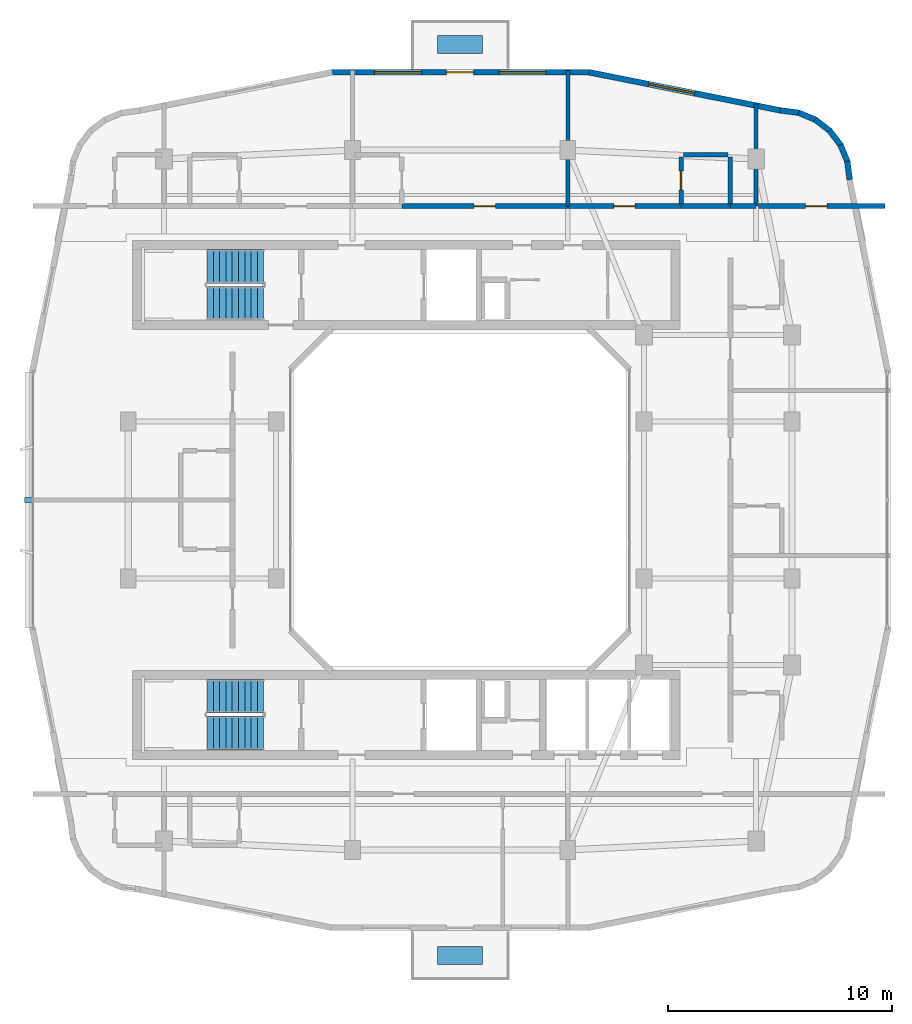
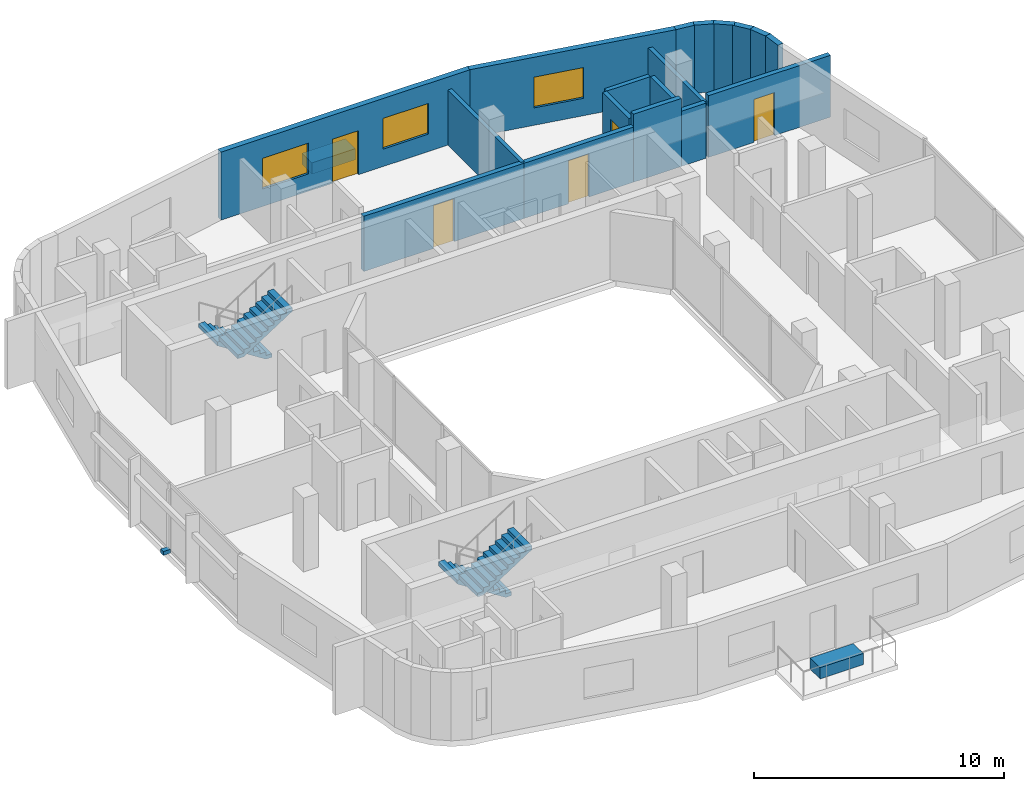
# One storey, part 9 of 13: 18 walls, 5 doors, 4 stair flights, 3 discrete accessories, 3 windows, 8 openings, 2 elements without a shape of their own.
"""IFC4 building model written with IfcOpenShell, lengths in metres."""

from ifc_helpers import new_model, si_unit, derived_unit, direction, frame, frame_2d, origin, origin_2d, place, context, subcontext, project, spatial, polyline, rectangle, outline, extrude, material, layer, layer_set, type_object, element, fill, aggregate, save


model = new_model("IFC4")

# Units and contexts
model_context = context("Model", 3, precision=1e-05, world=origin(), true_north=direction((0.0, 1.0)))
body_context = subcontext(model_context, "Body", "Model", "MODEL_VIEW")
ifc_project = project(units=[si_unit("LENGTHUNIT", "METRE"), si_unit("AREAUNIT", "SQUARE_METRE"), si_unit("VOLUMEUNIT", "CUBIC_METRE"), si_unit("PLANEANGLEUNIT", "RADIAN"), si_unit("MASSUNIT", "GRAM", prefix="KILO"), derived_unit("THERMALTRANSMITTANCEUNIT", [(si_unit("POWERUNIT", "WATT"), 1), (si_unit("LENGTHUNIT", "METRE"), -2), (si_unit("THERMODYNAMICTEMPERATUREUNIT", "KELVIN"), -1)])], contexts=[model_context])

# Site, building, storey
site_placement = place(None, origin())
site = spatial("IfcSite", under=ifc_project, at=site_placement, CompositionType="ELEMENT")
building_placement = place(site_placement, origin())
building = spatial("IfcBuilding", under=site, at=building_placement, Name="Kivonza Crest Hotel", CompositionType="ELEMENT")
storey_placement = place(building_placement, frame((0.0, 0.0, 220.699951171875)))
storey = spatial("IfcBuildingStorey", under=building, at=storey_placement, Name="L60", CompositionType="ELEMENT", Elevation=220.699951171875)

# Walls
ifc_material_1 = material(Name="High-density acoustic masonry inter-tenancy wall", Category="masonry")
ifc_layer_1 = layer(ifc_material_1, 0.179931640625)
ifc_layer_set_1 = layer_set([ifc_layer_1], Name="High-density acoustic masonry inter-tenancy wall")
wall_type_1 = type_object("IfcWallType", Name="WL-ACOU-180", PredefinedType="SOLIDWALL", material=ifc_layer_set_1)
wall_1_placement = place(storey_placement, frame((25.800048828125, 38.10009765625, 0.0), z_axis=(0.0, 0.0, 1.0), x_axis=(0.0, 1.0, 0.0)))
element("IfcWall", 1, at=wall_1_placement, inside=storey, type_object=wall_type_1, Name="L60 interior partition WA-L60-T1N-DIV3", PredefinedType="SOLIDWALL", context=body_context, shape_type="SweptSolid", body=[
    extrude(rectangle(XDim=6.039794921875, YDim=0.179931640625, at=frame_2d((3.02001953125, 0.0))), origin(), (0.0, 0.0, 1.0), 2.695068359375),
])
wall_2_placement = place(storey_placement, frame((34.199951171875, 38.10009765625, 0.0), z_axis=(0.0, 0.0, 1.0), x_axis=(0.0, 1.0, 0.0)))
element("IfcWall", 2, at=wall_2_placement, inside=storey, type_object=wall_type_1, Name="L60 interior partition WA-L60-T1N-DIV4", PredefinedType="SOLIDWALL", context=body_context, shape_type="SweptSolid", body=[
    extrude(rectangle(XDim=4.557861328125, YDim=0.179931640625, at=frame_2d((2.27880859375, 0.0))), origin(), (0.0, 0.0, 1.0), 2.695068359375),
])

# Wall, opening, door
ifc_material_2 = material(Name="Autoclaved aerated concrete blockwork", Category="masonry")
ifc_layer_2 = layer(ifc_material_2, 0.219970703125)
ifc_layer_set_2 = layer_set([ifc_layer_2], Name="Autoclaved aerated concrete blockwork")
wall_type_2 = type_object("IfcWallType", Name="WL-ACOU-220", PredefinedType="SOLIDWALL", material=ifc_layer_set_2)
wall_3_placement = place(storey_placement, frame((18.39990234375, 38.10009765625, 0.0), z_axis=(0.0, 0.0, 1.0), x_axis=(1.0, 0.0, 0.0)))
wall_3 = element("IfcWall", 3, at=wall_3_placement, inside=storey, type_object=wall_type_2, Name="L60 interior partition WA-L60-N03-MCORR", PredefinedType="SOLIDWALL", context=body_context, shape_type="SweptSolid", body=[
    extrude(rectangle(XDim=7.400146484375, YDim=0.219970703125, at=frame_2d((3.7001953125, 0.0))), origin(), (0.0, 0.0, 1.0), 2.695068359375),
])
opening_1_placement = place(wall_3_placement, frame((3.22509765625, 0.0, 0.0)))
opening_1 = element("IfcOpeningElement", 4, at=opening_1_placement, cuts=wall_3, Name="Opening DU-60", PredefinedType="OPENING", context=body_context, shape_type="SweptSolid", body=[
    extrude(rectangle(XDim=0.949951171875, YDim=2.10009765625, at=frame_2d((0.47509765625, 1.050048828125))), frame((0.0, 0.1201171875, 0.0), z_axis=(0.0, -1.0, 0.0), x_axis=(1.0, 0.0, 0.0)), (0.0, 0.0, 1.0), 0.239990234375),
])
ifc_material_3 = material(Name="Hardwood timber oak", Category="wood")
door_type_1 = type_object("IfcDoorType", Name="DR-UNIT-950", OperationType="NOTDEFINED", PredefinedType="DOOR", material=ifc_material_3)
door_1_placement = place(opening_1_placement, origin())
door_1 = element("IfcDoor", 5, at=door_1_placement, inside=storey, type_object=door_type_1, Name="L60 N03 guest unit entrance fire door", OperationType="SINGLE_SWING_LEFT", OverallHeight=2.10009765625, OverallWidth=0.949951171875, PredefinedType="DOOR", context=body_context, shape_type="SweptSolid", body=[
    extrude(rectangle(XDim=0.949951171875, YDim=2.10009765625, at=frame_2d((0.47509765625, 1.050048828125))), frame((0.0, 0.02490234375, 0.0), z_axis=(0.0, -1.0, 0.0), x_axis=(1.0, 0.0, 0.0)), (0.0, 0.0, 1.0), 0.050048828125),
])
fill(opening_1, door_1)

# Walls
wall_4_placement = place(storey_placement, frame((33.050048828125, 38.10009765625, 0.0), z_axis=(0.0, 0.0, 1.0), x_axis=(1.0, 0.0, 0.0)))
element("IfcWall", 6, at=wall_4_placement, inside=storey, type_object=wall_type_2, Name="L60 interior partition WA-L60-N04-XCORR", PredefinedType="SOLIDWALL", context=body_context, shape_type="SweptSolid", body=[
    extrude(rectangle(XDim=1.14990234375, YDim=0.219970703125, at=frame_2d((0.574951171875, 0.0))), origin(), (0.0, 0.0, 1.0), 2.695068359375),
])
wall_5_placement = place(storey_placement, frame((30.85009765625, 38.10009765625, 0.0), z_axis=(0.0, 0.0, 1.0), x_axis=(1.0, 0.0, 0.0)))
element("IfcWall", 7, at=wall_5_placement, inside=storey, type_object=wall_type_2, Name="L60 interior partition WA-L60-N04-BCORR", PredefinedType="SOLIDWALL", context=body_context, shape_type="SweptSolid", body=[
    extrude(rectangle(XDim=2.199951171875, YDim=0.219970703125, at=frame_2d((1.10009765625, 0.0))), origin(), (0.0, 0.0, 1.0), 3.320068359375),
])

# Wall, opening, door
wall_6_placement = place(storey_placement, frame((25.800048828125, 38.10009765625, 0.0), z_axis=(0.0, 0.0, 1.0), x_axis=(1.0, 0.0, 0.0)))
wall_6 = element("IfcWall", 8, at=wall_6_placement, inside=storey, type_object=wall_type_2, Name="L60 interior partition WA-L60-N04-MCORR", PredefinedType="SOLIDWALL", context=body_context, shape_type="SweptSolid", body=[
    extrude(rectangle(XDim=5.050048828125, YDim=0.219970703125, at=frame_2d((2.52490234375, 0.0))), origin(), (0.0, 0.0, 1.0), 2.695068359375),
])
opening_2_placement = place(wall_6_placement, frame((2.050048828125, 0.0, 0.0)))
opening_2 = element("IfcOpeningElement", 9, at=opening_2_placement, cuts=wall_6, Name="Opening DU-60", PredefinedType="OPENING", context=body_context, shape_type="SweptSolid", body=[
    extrude(rectangle(XDim=0.949951171875, YDim=2.10009765625, at=frame_2d((0.47509765625, 1.050048828125))), frame((0.0, 0.1201171875, 0.0), z_axis=(0.0, -1.0, 0.0), x_axis=(1.0, 0.0, 0.0)), (0.0, 0.0, 1.0), 0.239990234375),
])
door_2_placement = place(opening_2_placement, origin())
door_2 = element("IfcDoor", 10, at=door_2_placement, inside=storey, type_object=door_type_1, Name="L60 N04 guest unit entrance fire door", OperationType="SINGLE_SWING_RIGHT", OverallHeight=2.10009765625, OverallWidth=0.949951171875, PredefinedType="DOOR", context=body_context, shape_type="SweptSolid", body=[
    extrude(rectangle(XDim=0.949951171875, YDim=2.10009765625, at=frame_2d((0.47509765625, 1.050048828125))), frame((0.0, 0.02490234375, 0.0), z_axis=(0.0, -1.0, 0.0), x_axis=(1.0, 0.0, 0.0)), (0.0, 0.0, 1.0), 0.050048828125),
])
fill(opening_2, door_2)

wall_7_placement = place(storey_placement, frame((34.300048828125, 38.10009765625, 0.0), z_axis=(0.0, 0.0, 1.0), x_axis=(1.0, 0.0, 0.0)))
wall_7 = element("IfcWall", 11, at=wall_7_placement, inside=storey, type_object=wall_type_2, Name="L60 interior partition WA-L60-N-AMEN-S", PredefinedType="SOLIDWALL", context=body_context, shape_type="SweptSolid", body=[
    extrude(rectangle(XDim=5.639892578125, YDim=0.219970703125, at=frame_2d((2.81982421875, 0.0))), origin(), (0.0, 0.0, 1.0), 3.01513671875),
])
opening_3_placement = place(wall_7_placement, frame((2.10009765625, 0.0, 0.0)))
opening_3 = element("IfcOpeningElement", 12, at=opening_3_placement, cuts=wall_7, Name="Opening DF-60S", PredefinedType="OPENING", context=body_context, shape_type="SweptSolid", body=[
    extrude(rectangle(XDim=0.949951171875, YDim=2.10009765625, at=frame_2d((0.47509765625, 1.050048828125))), frame((0.0, 0.1201171875, 0.0), z_axis=(0.0, -1.0, 0.0), x_axis=(1.0, 0.0, 0.0)), (0.0, 0.0, 1.0), 0.239990234375),
])
door_type_2 = type_object("IfcDoorType", Name="DR-FD60-950", OperationType="NOTDEFINED", PredefinedType="DOOR", material=ifc_material_3)
door_3_placement = place(opening_3_placement, origin())
door_3 = element("IfcDoor", 13, at=door_3_placement, inside=storey, type_object=door_type_2, Name="L60 Private Fitness Gym Studio door", OperationType="SINGLE_SWING_LEFT", OverallHeight=2.10009765625, OverallWidth=0.949951171875, PredefinedType="DOOR", context=body_context, shape_type="SweptSolid", body=[
    extrude(rectangle(XDim=0.949951171875, YDim=2.10009765625, at=frame_2d((0.47509765625, 1.050048828125))), frame((0.0, 0.02490234375, 0.0), z_axis=(0.0, -1.0, 0.0), x_axis=(1.0, 0.0, 0.0)), (0.0, 0.0, 1.0), 0.050048828125),
])
fill(opening_3, door_3)

# Walls
ifc_material_4 = material(Name="Precast concrete C40/50", Category="concrete")
ifc_layer_3 = layer(ifc_material_4, 0.260009765625)
ifc_layer_set_3 = layer_set([ifc_layer_3], Name="Precast concrete C40/50")
wall_type_3 = type_object("IfcWallType", Name="WL-EXT-260", PredefinedType="STANDARD", material=ifc_layer_set_3)
wall_8_placement = place(storey_placement, frame((38.3720703125, 39.27490234375, 0.0), z_axis=(0.0, 0.0, 1.0), x_axis=(-0.130954667764, 0.9913883573, 0.0)))
element("IfcWall", 14, at=wall_8_placement, inside=storey, type_object=wall_type_3, Name="L60 T1 exterior insulated wall 19", PredefinedType="STANDARD", context=body_context, shape_type="SweptSolid", body=[
    extrude(rectangle(XDim=0.833251953125, YDim=0.260009765625, at=frame_2d((0.41650390625, 0.0))), origin(), (0.0, 0.0, 1.0), 3.320068359375),
])
wall_9_placement = place(storey_placement, frame((38.281005859375, 40.054931640625, 0.0), z_axis=(0.0, 0.0, 1.0), x_axis=(-0.382985169477, 0.923754491172, 0.0)))
element("IfcWall", 15, at=wall_9_placement, inside=storey, type_object=wall_type_3, Name="L60 T1 exterior insulated wall 20", PredefinedType="STANDARD", context=body_context, shape_type="SweptSolid", body=[
    extrude(rectangle(XDim=0.85107421875, YDim=0.260009765625, at=frame_2d((0.425537109375, 0.0))), origin(), (0.0, 0.0, 1.0), 3.320068359375),
])
for number, where, z_axis, x_axis, name in (
    (16, (37.98291015625, 40.801025390625, 0.0), (0.0, 0.0, 1.0), (-0.607918988881, 0.793999057278, 0.0), "L60 T1 exterior insulated wall 21"),
    (17, (37.50390625, 41.445068359375, 0.0), (0.0, 0.0, 1.0), (-0.793892896323, 0.608057619941, 0.0), "L60 T1 exterior insulated wall 22"),
):
    element("IfcWall", number, at=place(storey_placement, frame(where, z_axis=z_axis, x_axis=x_axis)), inside=storey, type_object=wall_type_3, Name=name, PredefinedType="STANDARD", context=body_context, shape_type="SweptSolid", body=[
        extrude(rectangle(XDim=0.85009765625, YDim=0.260009765625, at=frame_2d((0.425048828125, 0.0))), origin(), (0.0, 0.0, 1.0), 3.320068359375),
    ])
wall_10_placement = place(storey_placement, frame((36.873046875, 41.94091796875, 0.0), z_axis=(0.0, 0.0, 1.0), x_axis=(-0.923652976167, 0.383229930484, 0.0)))
element("IfcWall", 18, at=wall_10_placement, inside=storey, type_object=wall_type_3, Name="L60 T1 exterior insulated wall 23", PredefinedType="STANDARD", context=body_context, shape_type="SweptSolid", body=[
    extrude(rectangle(XDim=0.85107421875, YDim=0.260009765625, at=frame_2d((0.425537109375, 0.0))), origin(), (0.0, 0.0, 1.0), 3.320068359375),
])
wall_11_placement = place(storey_placement, frame((36.135986328125, 42.259033203125, 0.0), z_axis=(0.0, 0.0, 1.0), x_axis=(-0.991493480548, 0.130156359936, 0.0)))
element("IfcWall", 19, at=wall_11_placement, inside=storey, type_object=wall_type_3, Name="L60 T1 exterior insulated wall 24", PredefinedType="STANDARD", context=body_context, shape_type="SweptSolid", body=[
    extrude(rectangle(XDim=0.868408203125, YDim=0.260009765625, at=frame_2d((0.43408203125, 0.0))), origin(), (0.0, 0.0, 1.0), 3.320068359375),
])

# Wall, opening, window
wall_12_placement = place(storey_placement, frame((35.282958984375, 42.37109375, 0.0), z_axis=(0.0, 0.0, 1.0), x_axis=(-0.980748582507, 0.1952747242, 0.0)))
wall_12 = element("IfcWall", 20, at=wall_12_placement, inside=storey, type_object=wall_type_3, Name="L60 T1 exterior insulated wall 25", PredefinedType="STANDARD", context=body_context, shape_type="SweptSolid", body=[
    extrude(rectangle(XDim=8.705322265625, YDim=0.260009765625, at=frame_2d((4.3525390625, 0.0))), origin(), (0.0, 0.0, 1.0), 3.320068359375),
])
opening_4_placement = place(wall_12_placement, frame((3.89208984375, 0.0, 0.85009765625)))
opening_4 = element("IfcOpeningElement", 21, at=opening_4_placement, cuts=wall_12, Name="Opening WN-04", PredefinedType="OPENING", context=body_context, shape_type="SweptSolid", body=[
    extrude(rectangle(XDim=2.10009765625, YDim=1.5, at=frame_2d((1.050048828125, 0.75))), frame((0.0, 0.14013671875, 0.0), z_axis=(0.0, -1.0, 0.0), x_axis=(1.0, 0.0, 0.0)), (0.0, 0.0, 1.0), 0.280029296875),
])
ifc_material_5 = material(Name="Thermally broken bronze aluminium and low-E double glazing", Category="aluminium")
window_type = type_object("IfcWindowType", Name="WN-210x150", PartitioningType="DOUBLE_PANEL_VERTICAL", PredefinedType="WINDOW", material=ifc_material_5)
window_1_placement = place(opening_4_placement, origin())
window_1 = element("IfcWindow", 22, at=window_1_placement, inside=storey, type_object=window_type, Name="L60 T1 facade window 25", OverallHeight=1.5, OverallWidth=2.10009765625, PartitioningType="SINGLE_PANEL", PredefinedType="WINDOW", context=body_context, shape_type="SweptSolid", body=[
    extrude(rectangle(XDim=2.10009765625, YDim=1.5, at=frame_2d((1.050048828125, 0.75))), frame((0.0, 0.030029296875, 0.0), z_axis=(0.0, -1.0, 0.0), x_axis=(1.0, 0.0, 0.0)), (0.0, 0.0, 1.0), 0.06005859375),
])
fill(opening_4, window_1)

# Wall, openings, door, windows
wall_13_placement = place(storey_placement, frame((26.784912109375, 44.070068359375, 0.0), z_axis=(0.0, 0.0, 1.0), x_axis=(-1.0, 0.0, 0.0)))
wall_13 = element("IfcWall", 23, at=wall_13_placement, inside=storey, type_object=wall_type_3, Name="L60 T1 exterior insulated wall 26", PredefinedType="STANDARD", context=body_context, shape_type="SweptSolid", body=[
    extrude(rectangle(XDim=11.534912109375, YDim=0.260009765625, at=frame_2d((5.767578125, 0.0))), origin(), (0.0, 0.0, 1.0), 3.320068359375),
])
opening_5_placement = place(wall_13_placement, frame((5.18505859375, 0.0, 0.0)))
opening_5 = element("IfcOpeningElement", 24, at=opening_5_placement, cuts=wall_13, Name="Opening DT-120", PredefinedType="OPENING", context=body_context, shape_type="SweptSolid", body=[
    extrude(rectangle(XDim=1.199951171875, YDim=2.14990234375, at=frame_2d((0.60009765625, 1.074951171875))), frame((0.0, 0.14013671875, 0.0), z_axis=(0.0, -1.0, 0.0), x_axis=(1.0, 0.0, 0.0)), (0.0, 0.0, 1.0), 0.280029296875),
])
opening_6_placement = place(wall_13_placement, frame((1.9599609375, 0.0, 0.85009765625)))
opening_6 = element("IfcOpeningElement", 25, at=opening_6_placement, cuts=wall_13, Name="Opening WN-04", PredefinedType="OPENING", context=body_context, shape_type="SweptSolid", body=[
    extrude(rectangle(XDim=2.10009765625, YDim=1.5, at=frame_2d((1.050048828125, 0.75))), frame((0.0, 0.14013671875, 0.0), z_axis=(0.0, -1.0, 0.0), x_axis=(1.0, 0.0, 0.0)), (0.0, 0.0, 1.0), 0.280029296875),
])
opening_7_placement = place(wall_13_placement, frame((7.510009765625, 0.0, 0.85009765625)))
opening_7 = element("IfcOpeningElement", 26, at=opening_7_placement, cuts=wall_13, Name="Opening WN-04", PredefinedType="OPENING", context=body_context, shape_type="SweptSolid", body=[
    extrude(rectangle(XDim=2.10009765625, YDim=1.5, at=frame_2d((1.050048828125, 0.75))), frame((0.0, 0.14013671875, 0.0), z_axis=(0.0, -1.0, 0.0), x_axis=(1.0, 0.0, 0.0)), (0.0, 0.0, 1.0), 0.280029296875),
])
ifc_material_6 = material(Name="Anodised bronze aluminium and laminated safety glass", Category="aluminium")
door_type_3 = type_object("IfcDoorType", Name="DR-TERR-1200", OperationType="NOTDEFINED", PredefinedType="DOOR", material=ifc_material_6)
door_4_placement = place(opening_5_placement, frame((1.199951171875, 0.0, 0.0), z_axis=(0.0, 0.0, 1.0), x_axis=(-1.0, 0.0, 0.0)))
door_4 = element("IfcDoor", 27, at=door_4_placement, inside=storey, type_object=door_type_3, Name="T1 L60 NE sky-garden bridge access door", OperationType="SINGLE_SWING_LEFT", OverallHeight=2.14990234375, OverallWidth=1.199951171875, PredefinedType="DOOR", context=body_context, shape_type="SweptSolid", body=[
    extrude(rectangle(XDim=1.199951171875, YDim=2.14990234375, at=frame_2d((0.60009765625, 1.074951171875))), frame((0.0, 0.02490234375, 0.0), z_axis=(0.0, -1.0, 0.0), x_axis=(1.0, 0.0, 0.0)), (0.0, 0.0, 1.0), 0.050048828125),
])
fill(opening_5, door_4)
window_2_placement = place(opening_6_placement, origin())
window_2 = element("IfcWindow", 28, at=window_2_placement, inside=storey, type_object=window_type, Name="L60 T1 facade window 26 bay 1", OverallHeight=1.5, OverallWidth=2.10009765625, PartitioningType="SINGLE_PANEL", PredefinedType="WINDOW", context=body_context, shape_type="SweptSolid", body=[
    extrude(rectangle(XDim=2.10009765625, YDim=1.5, at=frame_2d((1.050048828125, 0.75))), frame((0.0, 0.030029296875, 0.0), z_axis=(0.0, -1.0, 0.0), x_axis=(1.0, 0.0, 0.0)), (0.0, 0.0, 1.0), 0.06005859375),
])
fill(opening_6, window_2)
window_3_placement = place(opening_7_placement, origin())
window_3 = element("IfcWindow", 29, at=window_3_placement, inside=storey, type_object=window_type, Name="L60 T1 facade window 26 bay 2", OverallHeight=1.5, OverallWidth=2.10009765625, PartitioningType="SINGLE_PANEL", PredefinedType="WINDOW", context=body_context, shape_type="SweptSolid", body=[
    extrude(rectangle(XDim=2.10009765625, YDim=1.5, at=frame_2d((1.050048828125, 0.75))), frame((0.0, 0.030029296875, 0.0), z_axis=(0.0, -1.0, 0.0), x_axis=(1.0, 0.0, 0.0)), (0.0, 0.0, 1.0), 0.06005859375),
])
fill(opening_7, window_3)

# Wall, opening, door
ifc_material_7 = material(Name="Moisture-resistant plumbing chase partition wall", Category="gypsum")
ifc_layer_4 = layer(ifc_material_7, 0.199951171875)
ifc_layer_set_4 = layer_set([ifc_layer_4], Name="Moisture-resistant plumbing chase partition wall")
wall_type_4 = type_object("IfcWallType", Name="WL-PLUMB-200", PredefinedType="PLUMBINGWALL", material=ifc_layer_set_4)
wall_14_placement = place(storey_placement, frame((30.85009765625, 38.199951171875, 0.0), z_axis=(0.0, 0.0, 1.0), x_axis=(0.0, 1.0, 0.0)))
wall_14 = element("IfcWall", 30, at=wall_14_placement, inside=storey, type_object=wall_type_4, Name="L60 interior partition WW-L60-N04-BV", PredefinedType="PLUMBINGWALL", context=body_context, shape_type="SweptSolid", body=[
    extrude(rectangle(XDim=2.10009765625, YDim=0.199951171875, at=frame_2d((1.050048828125, 0.0))), origin(), (0.0, 0.0, 1.0), 3.01513671875),
])
opening_8_placement = place(wall_14_placement, frame((0.625, 0.0, 0.0)))
opening_8 = element("IfcOpeningElement", 31, at=opening_8_placement, cuts=wall_14, Name="Opening DI-85", PredefinedType="OPENING", context=body_context, shape_type="SweptSolid", body=[
    extrude(rectangle(XDim=0.85009765625, YDim=2.10009765625, at=frame_2d((0.425048828125, 1.050048828125))), frame((0.0, 0.10986328125, 0.0), z_axis=(0.0, -1.0, 0.0), x_axis=(1.0, 0.0, 0.0)), (0.0, 0.0, 1.0), 0.219970703125),
])
door_type_4 = type_object("IfcDoorType", Name="DR-INT-850", OperationType="NOTDEFINED", PredefinedType="DOOR", material=ifc_material_3)
door_5_placement = place(opening_8_placement, origin())
door_5 = element("IfcDoor", 32, at=door_5_placement, inside=storey, type_object=door_type_4, Name="L60 N04 en-suite bathroom door", OperationType="SINGLE_SWING_LEFT", OverallHeight=2.10009765625, OverallWidth=0.85009765625, PredefinedType="DOOR", context=body_context, shape_type="SweptSolid", body=[
    extrude(rectangle(XDim=0.85009765625, YDim=2.10009765625, at=frame_2d((0.425048828125, 1.050048828125))), frame((0.0, 0.02490234375, 0.0), z_axis=(0.0, -1.0, 0.0), x_axis=(1.0, 0.0, 0.0)), (0.0, 0.0, 1.0), 0.050048828125),
])
fill(opening_8, door_5)

# Walls
wall_15_placement = place(storey_placement, frame((30.949951171875, 40.39990234375, 0.0), z_axis=(0.0, 0.0, 1.0), x_axis=(1.0, 0.0, 0.0)))
element("IfcWall", 33, at=wall_15_placement, inside=storey, type_object=wall_type_4, Name="L60 interior partition WW-L60-N04-BH", PredefinedType="PLUMBINGWALL", context=body_context, shape_type="SweptSolid", body=[
    extrude(rectangle(XDim=2.0, YDim=0.199951171875, at=frame_2d((1.0, 0.0))), origin(), (0.0, 0.0, 1.0), 3.01513671875),
])
wall_16_placement = place(storey_placement, frame((33.050048828125, 38.199951171875, 0.0), z_axis=(0.0, 0.0, 1.0), x_axis=(0.0, 1.0, 0.0)))
element("IfcWall", 34, at=wall_16_placement, inside=storey, type_object=wall_type_4, Name="L60 interior partition WW-L60-N04-BVE", PredefinedType="PLUMBINGWALL", context=body_context, shape_type="SweptSolid", body=[
    extrude(rectangle(XDim=2.10009765625, YDim=0.199951171875, at=frame_2d((1.050048828125, 0.0))), origin(), (0.0, 0.0, 1.0), 3.01513671875),
])

# Stair, stair flights
ifc_material_8 = material(Name="Concrete C40/50", Category="concrete")
stair_type = type_object("IfcStairType", Name="ST-DL-20R", PredefinedType="HALF_TURN_STAIR", material=ifc_material_8)
stair_1_placement = place(storey_placement, origin())
stair_1 = element("IfcStair", 35, at=stair_1_placement, inside=storey, type_object=stair_type, Name="L60 Protected Exit Stair ST-T1-N", PredefinedType="HALF_TURN_STAIR")
stair_flight_type = type_object("IfcStairFlightType", Name="SFL-RC-10R", PredefinedType="STRAIGHT", material=ifc_material_8)
stair_flight_1_placement = place(storey_placement, frame((12.239990234375, 35.409912109375, 0.0), z_axis=(0.0, 0.0, 1.0), x_axis=(-1.0, 0.0, 0.0)))
stair_flight_1 = element("IfcStairFlight", 36, at=stair_flight_1_placement, type_object=stair_flight_type, Name="ST-T1-N flight 1", NumberOfRisers=10, NumberOfTreads=9, PredefinedType="STRAIGHT", RiserHeight=0.18, TreadLength=0.28, context=body_context, shape_type="SweptSolid", body=[
    extrude(outline(polyline([(0.0, 0.0), (0.0, 0.179931640625), (0.280029296875, 0.179931640625), (0.280029296875, 0.360107421875), (0.56005859375, 0.360107421875), (0.56005859375, 0.5400390625), (0.840087890625, 0.5400390625), (0.840087890625, 0.719970703125), (1.1201171875, 0.719970703125), (1.1201171875, 0.89990234375), (1.39990234375, 0.89990234375), (1.39990234375, 1.080078125), (1.679931640625, 1.080078125), (1.679931640625, 1.260009765625), (1.9599609375, 1.260009765625), (1.9599609375, 1.43994140625), (2.239990234375, 1.43994140625), (2.239990234375, 1.6201171875), (2.52001953125, 1.6201171875), (2.52001953125, 1.800048828125), (2.52001953125, 1.44189453125), (0.277099609375, 0.0), (0.0, 0.0)])), frame((0.0, 0.75, 0.0), z_axis=(0.0, -1.0, 0.0), x_axis=(1.0, 0.0, 0.0)), (0.0, 0.0, 1.0), 1.5),
])
stair_flight_2_placement = place(storey_placement, frame((9.719970703125, 33.77001953125, 1.800048828125), z_axis=(0.0, 0.0, 1.0), x_axis=(1.0, 0.0, 0.0)))
stair_flight_2 = element("IfcStairFlight", 37, at=stair_flight_2_placement, type_object=stair_flight_type, Name="ST-T1-N flight 2", NumberOfRisers=10, NumberOfTreads=9, PredefinedType="STRAIGHT", RiserHeight=0.18, TreadLength=0.28, context=body_context, shape_type="SweptSolid", body=[
    extrude(outline(polyline([(0.0, 0.0), (0.0, 0.179931640625), (0.280029296875, 0.179931640625), (0.280029296875, 0.360107421875), (0.56005859375, 0.360107421875), (0.56005859375, 0.5400390625), (0.840087890625, 0.5400390625), (0.840087890625, 0.719970703125), (1.1201171875, 0.719970703125), (1.1201171875, 0.89990234375), (1.39990234375, 0.89990234375), (1.39990234375, 1.080078125), (1.679931640625, 1.080078125), (1.679931640625, 1.260009765625), (1.9599609375, 1.260009765625), (1.9599609375, 1.43994140625), (2.239990234375, 1.43994140625), (2.239990234375, 1.6201171875), (2.52001953125, 1.6201171875), (2.52001953125, 1.800048828125), (2.52001953125, 1.44189453125), (0.277099609375, 0.0), (0.0, 0.0)])), frame((0.0, 0.75, 0.0), z_axis=(0.0, -1.0, 0.0), x_axis=(1.0, 0.0, 0.0)), (0.0, 0.0, 1.0), 1.5),
])
aggregate(stair_1, [stair_flight_1, stair_flight_2])

stair_2_placement = place(storey_placement, origin())
stair_2 = element("IfcStair", 38, at=stair_2_placement, inside=storey, type_object=stair_type, Name="L60 Protected Exit Stair ST-T1-S", PredefinedType="HALF_TURN_STAIR")
stair_flight_3_placement = place(storey_placement, frame((12.239990234375, 16.25, 0.0), z_axis=(0.0, 0.0, 1.0), x_axis=(-1.0, 0.0, 0.0)))
stair_flight_3 = element("IfcStairFlight", 39, at=stair_flight_3_placement, type_object=stair_flight_type, Name="ST-T1-S flight 1", NumberOfRisers=10, NumberOfTreads=9, PredefinedType="STRAIGHT", RiserHeight=0.18, TreadLength=0.28, context=body_context, shape_type="SweptSolid", body=[
    extrude(outline(polyline([(0.0, 0.0), (0.0, 0.179931640625), (0.280029296875, 0.179931640625), (0.280029296875, 0.360107421875), (0.56005859375, 0.360107421875), (0.56005859375, 0.5400390625), (0.840087890625, 0.5400390625), (0.840087890625, 0.719970703125), (1.1201171875, 0.719970703125), (1.1201171875, 0.89990234375), (1.39990234375, 0.89990234375), (1.39990234375, 1.080078125), (1.679931640625, 1.080078125), (1.679931640625, 1.260009765625), (1.9599609375, 1.260009765625), (1.9599609375, 1.43994140625), (2.239990234375, 1.43994140625), (2.239990234375, 1.6201171875), (2.52001953125, 1.6201171875), (2.52001953125, 1.800048828125), (2.52001953125, 1.44189453125), (0.277099609375, 0.0), (0.0, 0.0)])), frame((0.0, 0.75, 0.0), z_axis=(0.0, -1.0, 0.0), x_axis=(1.0, 0.0, 0.0)), (0.0, 0.0, 1.0), 1.5),
])
stair_flight_4_placement = place(storey_placement, frame((9.719970703125, 14.610107421875, 1.800048828125), z_axis=(0.0, 0.0, 1.0), x_axis=(1.0, 0.0, 0.0)))
stair_flight_4 = element("IfcStairFlight", 40, at=stair_flight_4_placement, type_object=stair_flight_type, Name="ST-T1-S flight 2", NumberOfRisers=10, NumberOfTreads=9, PredefinedType="STRAIGHT", RiserHeight=0.18, TreadLength=0.28, context=body_context, shape_type="SweptSolid", body=[
    extrude(outline(polyline([(0.0, 0.0), (0.0, 0.179931640625), (0.280029296875, 0.179931640625), (0.280029296875, 0.360107421875), (0.56005859375, 0.360107421875), (0.56005859375, 0.5400390625), (0.840087890625, 0.5400390625), (0.840087890625, 0.719970703125), (1.1201171875, 0.719970703125), (1.1201171875, 0.89990234375), (1.39990234375, 0.89990234375), (1.39990234375, 1.080078125), (1.679931640625, 1.080078125), (1.679931640625, 1.260009765625), (1.9599609375, 1.260009765625), (1.9599609375, 1.43994140625), (2.239990234375, 1.43994140625), (2.239990234375, 1.6201171875), (2.52001953125, 1.6201171875), (2.52001953125, 1.800048828125), (2.52001953125, 1.44189453125), (0.277099609375, 0.0), (0.0, 0.0)])), frame((0.0, 0.75, 0.0), z_axis=(0.0, -1.0, 0.0), x_axis=(1.0, 0.0, 0.0)), (0.0, 0.0, 1.0), 1.5),
])
aggregate(stair_2, [stair_flight_3, stair_flight_4])

# Discrete accessories
ifc_material_9 = material(Name="Stainless steel 316", Category="steel")
discrete_accessory_type_1 = type_object("IfcDiscreteAccessoryType", Name="AC-BRACKET-240", PredefinedType="BRACKET", material=ifc_material_9)
discrete_accessory_placement = place(storey_placement, frame((1.760009765625, 25.0, -0.009765625), z_axis=(0.0, 0.0, 1.0), x_axis=(0.0, -1.0, 0.0)))
element("IfcDiscreteAccessory", 41, at=discrete_accessory_placement, inside=storey, type_object=discrete_accessory_type_1, Name="L60 terracotta baguette support bracket CW-T1-L60-35", PredefinedType="BRACKET", context=body_context, shape_type="SweptSolid", body=[
    extrude(rectangle(XDim=0.219970703125, YDim=0.340087890625, at=origin_2d()), origin(), (0.0, 0.0, 1.0), 0.179931640625),
])
ifc_material_10 = material(Name="Precast GRC planter with engineered planting soil", Category="concrete")
discrete_accessory_type_2 = type_object("IfcDiscreteAccessoryType", Name="AC-PLANTER-1800", PredefinedType="USERDEFINED", material=ifc_material_10)
for number, where, z_axis, x_axis, name in (
    (42, (21.0, 4.699951171875, 0.0), (0.0, 0.0, 1.0), (1.0, 0.0, 0.0), "T1 L60 SW sky-garden planter"),
    (43, (21.0, 45.300048828125, 0.0), (0.0, 0.0, 1.0), (1.0, 0.0, 0.0), "T1 L60 NE sky-garden planter"),
):
    element("IfcDiscreteAccessory", number, at=place(storey_placement, frame(where, z_axis=z_axis, x_axis=x_axis)), inside=storey, type_object=discrete_accessory_type_2, Name=name, ObjectType="PLANTER", PredefinedType="USERDEFINED", context=body_context, shape_type="SweptSolid", body=[
        extrude(rectangle(XDim=2.0, YDim=0.800048828125, at=origin_2d()), origin(), (0.0, 0.0, 1.0), 0.550048828125),
    ])

save(model, "model.ifc")
